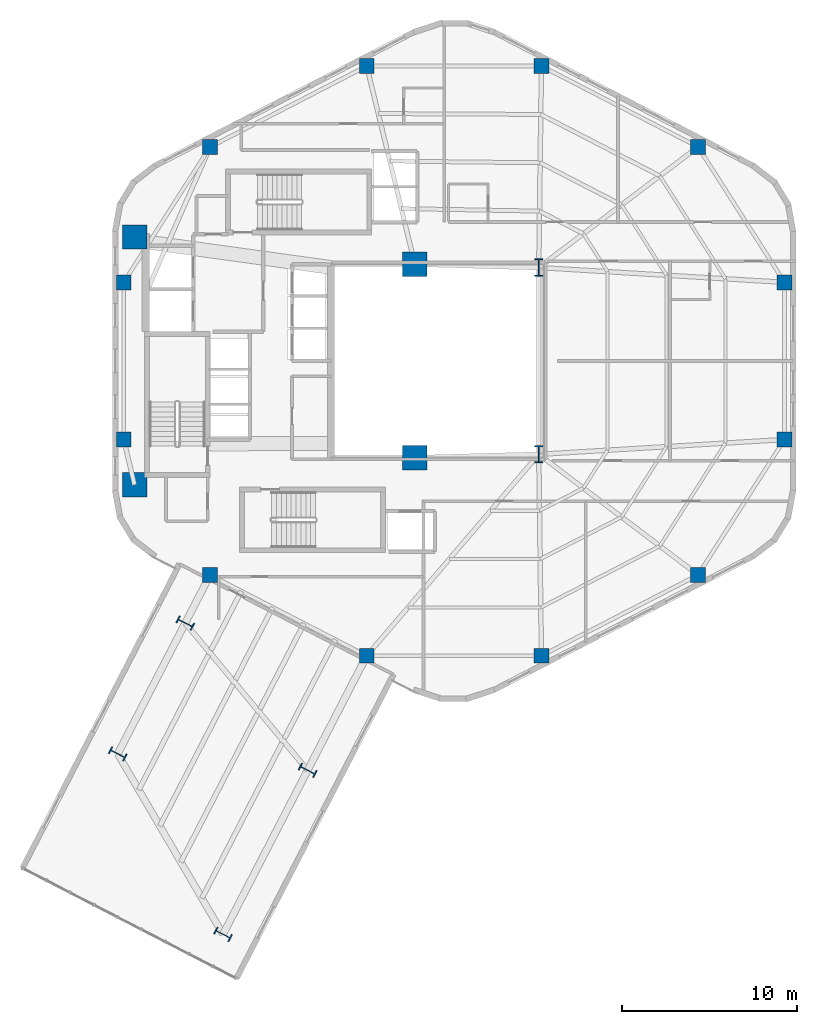
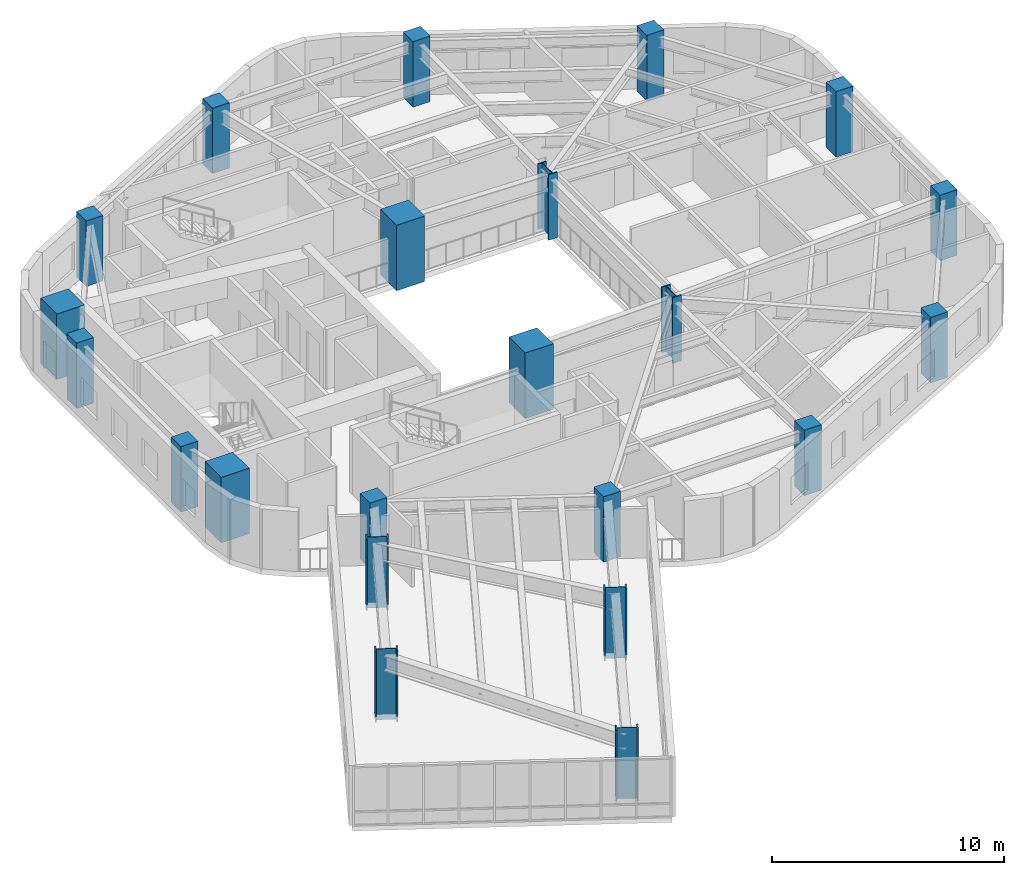
# One storey, part 1 of 9: 22 columns.
"""IFC4 building model written with IfcOpenShell, lengths in metres."""

from ifc_helpers import new_model, si_unit, direction, frame, origin, origin_2d, place, context, subcontext, project, spatial, rectangle, i_section, extrude, material, material_profile, profile_set, type_object, element, save


model = new_model("IFC4")

# Units and contexts
model_context = context("Model", 3, precision=1e-05, world=origin(), true_north=direction((0.0, 1.0)))
body_context = subcontext(model_context, "Body", "Model", "MODEL_VIEW")
ifc_project = project(units=[si_unit("LENGTHUNIT", "METRE"), si_unit("AREAUNIT", "SQUARE_METRE"), si_unit("VOLUMEUNIT", "CUBIC_METRE"), si_unit("PLANEANGLEUNIT", "RADIAN"), si_unit("MASSUNIT", "GRAM", prefix="KILO"), si_unit("THERMODYNAMICTEMPERATUREUNIT", "KELVIN"), si_unit("POWERUNIT", "WATT")], contexts=[model_context])

# Site, building, storey
site_placement = place(None, origin())
site = spatial("IfcSite", under=ifc_project, at=site_placement, CompositionType="ELEMENT")
building_placement = place(site_placement, origin())
building = spatial("IfcBuilding", under=site, at=building_placement, Name="Skarre Station Tower", CompositionType="ELEMENT")
storey_placement = place(building_placement, frame((0.0, 0.0, 174.0)))
storey = spatial("IfcBuildingStorey", under=building, at=storey_placement, Name="L47", CompositionType="ELEMENT", Elevation=174.0)

# Columns
ifc_material_1 = material(Name="Concrete C70/85", Category="concrete")
ifc_material_profile_1 = material_profile(ifc_material_1, rectangle(XDim=1.39990234375, YDim=1.39990234375, at=origin_2d()), Name="Concrete C70/85")
ifc_profile_set_1 = profile_set([ifc_material_profile_1], Name="Concrete C70/85")
column_type_1 = type_object("IfcColumnType", Name="RC Structural Column RC-COL-1400X1400", PredefinedType="COLUMN", material=ifc_profile_set_1)
for number, where, z_axis, x_axis, name in (
    (1, (16.300048828125, 16.89990234375, 0.0), (0.0, 0.0, 1.0), (1.0, 0.0, 0.0), "L47 Core Column CC-SW"),
    (2, (16.300048828125, 31.10009765625, 0.0), (0.0, 0.0, 1.0), (1.0, 0.0, 0.0), "L47 Core Column CC-NW"),
    (3, (32.35009765625, 18.449951171875, 0.0), (0.0, 0.0, 1.0), (1.0, 0.0, 0.0), "L47 Core Column CC-SE"),
    (4, (32.35009765625, 29.550048828125, 0.0), (0.0, 0.0, 1.0), (1.0, 0.0, 0.0), "L47 Core Column CC-NE"),
):
    element("IfcColumn", number, at=place(storey_placement, frame(where, z_axis=z_axis, x_axis=x_axis)), inside=storey, type_object=column_type_1, Name=name, PredefinedType="COLUMN", context=body_context, shape_type="SweptSolid", body=[
        extrude(rectangle(XDim=1.39990234375, YDim=1.39990234375, at=origin_2d()), origin(), (0.0, 0.0, 1.0), 3.449951171875),
    ])
ifc_material_2 = material(Name="Concrete C50/60", Category="concrete")
ifc_material_profile_2 = material_profile(ifc_material_2, rectangle(XDim=0.85009765625, YDim=0.85009765625, at=origin_2d()), Name="Concrete C50/60")
ifc_profile_set_2 = profile_set([ifc_material_profile_2], Name="Concrete C50/60")
column_type_2 = type_object("IfcColumnType", Name="RC Structural Column RC-COL-850X850", PredefinedType="COLUMN", material=ifc_profile_set_2)
for number, where, z_axis, x_axis, name in (
    (5, (48.573974609375, 36.257080078125, 0.0), (0.0, 0.0, 1.0), (1.0, 0.0, 0.0), "L47 Zone 3 Perimeter Column F0C1"),
    (6, (39.60205078125, 40.887939453125, 0.0), (0.0, 0.0, 1.0), (1.0, 0.0, 0.0), "L47 Zone 3 Perimeter Column F0C2"),
    (7, (29.597900390625, 40.887939453125, 0.0), (0.0, 0.0, 1.0), (1.0, 0.0, 0.0), "L47 Zone 3 Perimeter Column F1C1"),
    (8, (20.6259765625, 36.257080078125, 0.0), (0.0, 0.0, 1.0), (1.0, 0.0, 0.0), "L47 Zone 3 Perimeter Column F1C2"),
    (9, (15.677978515625, 28.5009765625, 0.0), (0.0, 0.0, 1.0), (1.0, 0.0, 0.0), "L47 Zone 3 Perimeter Column F2C1"),
    (10, (15.677978515625, 19.4990234375, 0.0), (0.0, 0.0, 1.0), (1.0, 0.0, 0.0), "L47 Zone 3 Perimeter Column F2C2"),
    (11, (20.6259765625, 11.742919921875, 0.0), (0.0, 0.0, 1.0), (1.0, 0.0, 0.0), "L47 Zone 3 Perimeter Column F3C1"),
    (12, (29.597900390625, 7.112060546875, 0.0), (0.0, 0.0, 1.0), (1.0, 0.0, 0.0), "L47 Zone 3 Perimeter Column F3C2"),
    (13, (39.60205078125, 7.112060546875, 0.0), (0.0, 0.0, 1.0), (1.0, 0.0, 0.0), "L47 Zone 3 Perimeter Column F4C1"),
    (14, (48.573974609375, 11.742919921875, 0.0), (0.0, 0.0, 1.0), (1.0, 0.0, 0.0), "L47 Zone 3 Perimeter Column F4C2"),
    (15, (53.52197265625, 19.4990234375, 0.0), (0.0, 0.0, 1.0), (1.0, 0.0, 0.0), "L47 Zone 3 Perimeter Column F5C1"),
    (16, (53.52197265625, 28.5009765625, 0.0), (0.0, 0.0, 1.0), (1.0, 0.0, 0.0), "L47 Zone 3 Perimeter Column F5C2"),
):
    element("IfcColumn", number, at=place(storey_placement, frame(where, z_axis=z_axis, x_axis=x_axis)), inside=storey, type_object=column_type_2, Name=name, PredefinedType="COLUMN", context=body_context, shape_type="SweptSolid", body=[
        extrude(rectangle(XDim=0.85009765625, YDim=0.85009765625, at=origin_2d()), origin(), (0.0, 0.0, 1.0), 3.449951171875),
    ])
ifc_material_3 = material(Name="Steel ASTM A913 Grade 65", Category="steel")
ifc_material_profile_3 = material_profile(ifc_material_3, i_section(OverallWidth=0.430908203125, OverallDepth=0.987060546875, WebThickness=0.033935546875, FlangeThickness=0.06201171875, at=origin_2d()), Name="Steel ASTM A913 Grade 65")
ifc_profile_set_3 = profile_set([ifc_material_profile_3], Name="Steel ASTM A913 Grade 65")
column_type_3 = type_object("IfcColumnType", Name="Steel Column W36X441", PredefinedType="COLUMN", material=ifc_profile_set_3)
for number, where, z_axis, x_axis, name in (
    (17, (39.449951171875, 18.64990234375, 0.0), (0.0, 0.0, 1.0), (1.0, 0.0, 0.0), "L47 Atrium Spine Column AC-SE"),
    (18, (39.449951171875, 29.35009765625, 0.0), (0.0, 0.0, 1.0), (1.0, 0.0, 0.0), "L47 Atrium Spine Column AC-NE"),
):
    element("IfcColumn", number, at=place(storey_placement, frame(where, z_axis=z_axis, x_axis=x_axis)), inside=storey, type_object=column_type_3, Name=name, PredefinedType="COLUMN", context=body_context, shape_type="SweptSolid", body=[
        extrude(i_section(OverallWidth=0.430908203125, OverallDepth=0.987060546875, WebThickness=0.033935546875, FlangeThickness=0.06201171875, at=origin_2d()), origin(), (0.0, 0.0, 1.0), 3.449951171875),
    ])
for number, where, z_axis, x_axis, name in (
    (19, (19.2041015625, 8.988037109375, -0.2900390625), (0.0, 0.0, 1.0), (-0.458634045118, -0.888625237464, 0.0), "L47 SB-4 Sky-Bar Frame Column M1"),
    (20, (26.212890625, 0.553955078125, -0.2900390625), (0.0, 0.0, 1.0), (-0.458634045118, -0.888625237464, 0.0), "L47 SB-4 Sky-Bar Frame Column M2"),
    (21, (15.337890625, 1.4970703125, -0.2900390625), (0.0, 0.0, 1.0), (-0.458634045118, -0.888625237464, 0.0), "L47 SB-4 Sky-Bar Frame Column T1"),
    (22, (21.364990234375, -8.839111328125, -0.2900390625), (0.0, 0.0, 1.0), (-0.458634045118, -0.888625237464, 0.0), "L47 SB-4 Sky-Bar Frame Column T2"),
):
    element("IfcColumn", number, at=place(storey_placement, frame(where, z_axis=z_axis, x_axis=x_axis)), inside=storey, type_object=column_type_3, Name=name, PredefinedType="COLUMN", context=body_context, shape_type="SweptSolid", body=[
        extrude(i_section(OverallWidth=0.430908203125, OverallDepth=0.987060546875, WebThickness=0.033935546875, FlangeThickness=0.06201171875, at=origin_2d()), origin(), (0.0, 0.0, 1.0), 3.739990234375),
    ])

save(model, "model.ifc")
